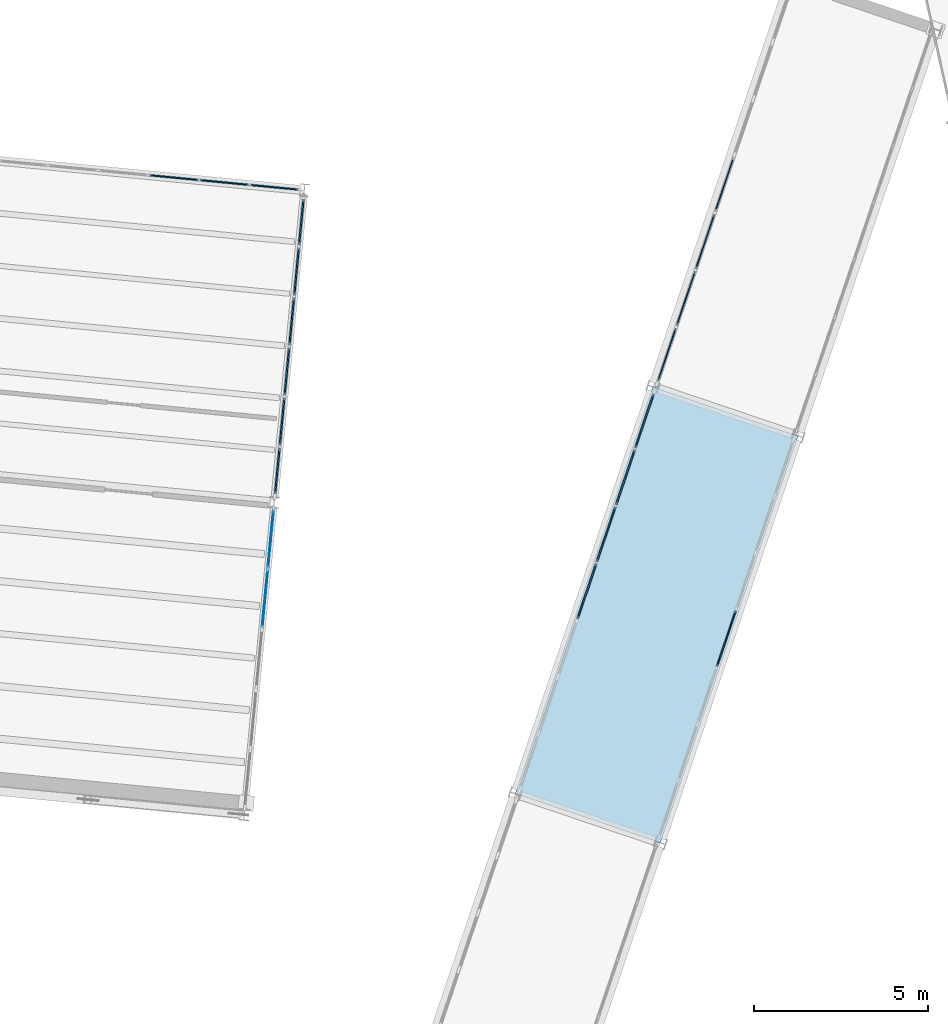
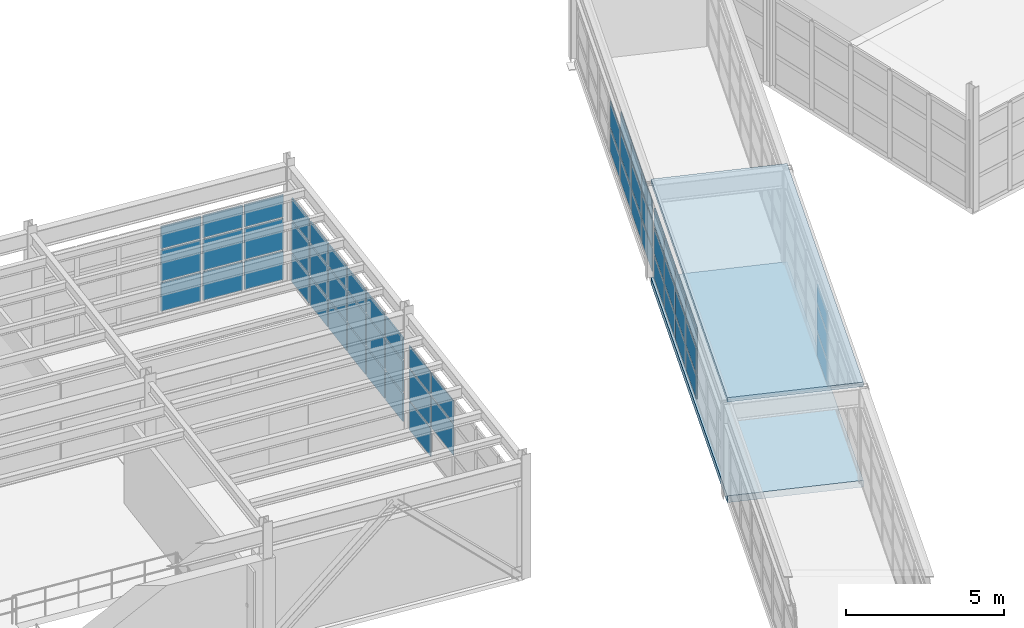
# One storey, part 69 of 102: 58 plates, 2 slabs, 6 elements without a shape of their own.
"""IFC4 building model written with IfcOpenShell, lengths in metres."""

from ifc_helpers import new_model, si_unit, direction, frame, origin, origin_2d, place, context, subcontext, project, spatial, polyline, rectangle, outline, extrude, material, layer, layer_set, type_object, element, aggregate, save


model = new_model("IFC4")

# Units and contexts
model_context = context("Model", 3, precision=1e-05, world=origin(), true_north=direction((0.0, 1.0)))
body_context = subcontext(model_context, "Body", "Model", "MODEL_VIEW")
ifc_project = project(units=[si_unit("LENGTHUNIT", "METRE"), si_unit("AREAUNIT", "SQUARE_METRE"), si_unit("VOLUMEUNIT", "CUBIC_METRE"), si_unit("PLANEANGLEUNIT", "RADIAN"), si_unit("MASSUNIT", "GRAM", prefix="KILO")], contexts=[model_context])

# Site, building, storey
site_placement = place(None, origin())
site = spatial("IfcSite", under=ifc_project, at=site_placement, CompositionType="ELEMENT")
building_placement = place(site_placement, origin())
building = spatial("IfcBuilding", under=site, at=building_placement, Name="Vireo Bluff Cable Station", CompositionType="ELEMENT")
storey_placement = place(building_placement, frame((0.0, 0.0, 9.60009765625)))
storey = spatial("IfcBuildingStorey", under=building, at=storey_placement, Name="L02", CompositionType="ELEMENT", Elevation=9.60009765625)

# Curtain wall, plates
ifc_material_1 = material(Name="Anodized Aluminium 6063-T6", Category="aluminium")
ifc_layer_1 = layer(ifc_material_1, 0.179931640625, Name="Anodized Aluminium 6063-T6")
ifc_layer_set_1 = layer_set([ifc_layer_1], Name="Anodized Aluminium 6063-T6")
curtain_wall_type_1 = type_object("IfcCurtainWallType", Name="CW-UNIT-1650", PredefinedType="USERDEFINED", material=ifc_layer_set_1)
curtain_wall_1_placement = place(storey_placement, origin())
curtain_wall_1 = element("IfcCurtainWall", 1, at=curtain_wall_1_placement, inside=storey, type_object=curtain_wall_type_1, Name="V3 L02 east curtain wall CW-080", ObjectType="UNITISED CURTAIN WALL", PredefinedType="USERDEFINED")
ifc_material_2 = material(Name="Laminated Low-E Insulated Glass", Category="glass")
ifc_layer_2 = layer(ifc_material_2, 0.028076171875, Name="Laminated Low-E Insulated Glass")
ifc_layer_set_2 = layer_set([ifc_layer_2], Name="Laminated Low-E Insulated Glass")
plate_type_1 = type_object("IfcPlateType", Name="CWP-28-1", PredefinedType="CURTAIN_PANEL", material=ifc_layer_set_2)
plate_1_placement = place(storey_placement, frame((104.334228515625, 71.46533203125, 0.06494140625), z_axis=(0.0, 0.0, 1.0), x_axis=(-0.095845757211, -0.995396197916, 0.0)))
plate_1 = element("IfcPlate", 2, at=plate_1_placement, type_object=plate_type_1, Name="CW-080 panel 1.1", PredefinedType="CURTAIN_PANEL", context=body_context, shape_type="SweptSolid", body=[
    extrude(rectangle(XDim=1.635986328125, YDim=0.028076171875, at=origin_2d()), origin(), (0.0, 0.0, 1.0), 1.092529296875),
])
plate_2_placement = place(storey_placement, frame((104.334228515625, 71.46533203125, 1.22216796875), z_axis=(0.0, 0.0, 1.0), x_axis=(-0.095845757211, -0.995396197916, 0.0)))
plate_2 = element("IfcPlate", 3, at=plate_2_placement, type_object=plate_type_1, Name="CW-080 panel 1.2", PredefinedType="CURTAIN_PANEL", context=body_context, shape_type="SweptSolid", body=[
    extrude(rectangle(XDim=1.635986328125, YDim=0.028076171875, at=origin_2d()), origin(), (0.0, 0.0, 1.0), 1.193115234375),
])
plate_3_placement = place(storey_placement, frame((104.334228515625, 71.46533203125, 2.48046875), z_axis=(0.0, 0.0, 1.0), x_axis=(-0.095845757211, -0.995396197916, 0.0)))
plate_3 = element("IfcPlate", 4, at=plate_3_placement, type_object=plate_type_1, Name="CW-080 panel 1.3", PredefinedType="CURTAIN_PANEL", context=body_context, shape_type="SweptSolid", body=[
    extrude(rectangle(XDim=1.635986328125, YDim=0.028076171875, at=origin_2d()), origin(), (0.0, 0.0, 1.0), 0.8544921875),
])
plate_4_placement = place(storey_placement, frame((104.169677734375, 69.755859375, 1.22216796875), z_axis=(0.0, 0.0, 1.0), x_axis=(-0.095845757211, -0.995396197916, 0.0)))
plate_4 = element("IfcPlate", 5, at=plate_4_placement, type_object=plate_type_1, Name="CW-080 panel 2.2", PredefinedType="CURTAIN_PANEL", context=body_context, shape_type="SweptSolid", body=[
    extrude(rectangle(XDim=1.668701171875, YDim=0.028076171875, at=origin_2d()), origin(), (0.0, 0.0, 1.0), 1.193115234375),
])
plate_5_placement = place(storey_placement, frame((104.169677734375, 69.755859375, 2.48046875), z_axis=(0.0, 0.0, 1.0), x_axis=(-0.095845757211, -0.995396197916, 0.0)))
plate_5 = element("IfcPlate", 6, at=plate_5_placement, type_object=plate_type_1, Name="CW-080 panel 2.3", PredefinedType="CURTAIN_PANEL", context=body_context, shape_type="SweptSolid", body=[
    extrude(rectangle(XDim=1.668701171875, YDim=0.028076171875, at=origin_2d()), origin(), (0.0, 0.0, 1.0), 0.8544921875),
])
aggregate(curtain_wall_1, [plate_1, plate_2, plate_3, plate_4, plate_5])

ifc_layer_3 = layer(ifc_material_1, 0.159912109375, Name="Anodized Aluminium 6063-T6")
ifc_layer_set_3 = layer_set([ifc_layer_3], Name="Anodized Aluminium 6063-T6")
curtain_wall_type_2 = type_object("IfcCurtainWallType", Name="CW-STICK-1850", PredefinedType="USERDEFINED", material=ifc_layer_set_3)
curtain_wall_2_placement = place(storey_placement, origin())
curtain_wall_2 = element("IfcCurtainWall", 7, at=curtain_wall_2_placement, inside=storey, type_object=curtain_wall_type_2, Name="SKYBR L02 HAUL-DRIVE-3R curtain wall CW-151", ObjectType="STICK CURTAIN WALL", PredefinedType="USERDEFINED")
ifc_layer_4 = layer(ifc_material_2, 0.031982421875, Name="Laminated Low-E Insulated Glass")
ifc_layer_set_4 = layer_set([ifc_layer_4], Name="Laminated Low-E Insulated Glass")
plate_type_2 = type_object("IfcPlateType", Name="CWP-32-2", PredefinedType="CURTAIN_PANEL", material=ifc_layer_set_4)
plate_6_placement = place(storey_placement, frame((115.69580078125, 76.75, 0.080078125), z_axis=(0.0, 0.0, 1.0), x_axis=(0.320353719222, 0.947297996715, 0.0)))
plate_6 = element("IfcPlate", 8, at=plate_6_placement, type_object=plate_type_2, Name="CW-151 panel 1.1", PredefinedType="CURTAIN_PANEL", context=body_context, shape_type="SweptSolid", body=[
    extrude(rectangle(XDim=1.60498046875, YDim=0.031982421875, at=origin_2d()), origin(), (0.0, 0.0, 1.0), 0.887939453125),
])
plate_7_placement = place(storey_placement, frame((115.69580078125, 76.75, 1.0478515625), z_axis=(0.0, 0.0, 1.0), x_axis=(0.320353719222, 0.947297996715, 0.0)))
plate_7 = element("IfcPlate", 9, at=plate_7_placement, type_object=plate_type_2, Name="CW-151 panel 1.2", PredefinedType="CURTAIN_PANEL", context=body_context, shape_type="SweptSolid", body=[
    extrude(rectangle(XDim=1.60498046875, YDim=0.031982421875, at=origin_2d()), origin(), (0.0, 0.0, 1.0), 0.985595703125),
])
plate_8_placement = place(storey_placement, frame((115.69580078125, 76.75, 2.11376953125), z_axis=(0.0, 0.0, 1.0), x_axis=(0.320353719222, 0.947297996715, 0.0)))
plate_8 = element("IfcPlate", 10, at=plate_8_placement, type_object=plate_type_2, Name="CW-151 panel 1.3", PredefinedType="CURTAIN_PANEL", context=body_context, shape_type="SweptSolid", body=[
    extrude(rectangle(XDim=1.60498046875, YDim=0.031982421875, at=origin_2d()), origin(), (0.0, 0.0, 1.0), 0.686279296875),
])
plate_9_placement = place(storey_placement, frame((116.241943359375, 78.365234375, 0.080078125), z_axis=(0.0, 0.0, 1.0), x_axis=(0.320353719222, 0.947297996715, 0.0)))
plate_9 = element("IfcPlate", 11, at=plate_9_placement, type_object=plate_type_2, Name="CW-151 panel 2.1", PredefinedType="CURTAIN_PANEL", context=body_context, shape_type="SweptSolid", body=[
    extrude(rectangle(XDim=1.64501953125, YDim=0.031982421875, at=origin_2d()), origin(), (0.0, 0.0, 1.0), 0.887939453125),
])
plate_10_placement = place(storey_placement, frame((116.241943359375, 78.365234375, 1.0478515625), z_axis=(0.0, 0.0, 1.0), x_axis=(0.320353719222, 0.947297996715, 0.0)))
plate_10 = element("IfcPlate", 12, at=plate_10_placement, type_object=plate_type_2, Name="CW-151 panel 2.2", PredefinedType="CURTAIN_PANEL", context=body_context, shape_type="SweptSolid", body=[
    extrude(rectangle(XDim=1.64501953125, YDim=0.031982421875, at=origin_2d()), origin(), (0.0, 0.0, 1.0), 0.985595703125),
])
plate_11_placement = place(storey_placement, frame((116.241943359375, 78.365234375, 2.11376953125), z_axis=(0.0, 0.0, 1.0), x_axis=(0.320353719222, 0.947297996715, 0.0)))
plate_11 = element("IfcPlate", 13, at=plate_11_placement, type_object=plate_type_2, Name="CW-151 panel 2.3", PredefinedType="CURTAIN_PANEL", context=body_context, shape_type="SweptSolid", body=[
    extrude(rectangle(XDim=1.64501953125, YDim=0.031982421875, at=origin_2d()), origin(), (0.0, 0.0, 1.0), 0.686279296875),
])
plate_12_placement = place(storey_placement, frame((116.794677734375, 79.99951171875, 0.080078125), z_axis=(0.0, 0.0, 1.0), x_axis=(0.320353719222, 0.947297996715, 0.0)))
plate_12 = element("IfcPlate", 14, at=plate_12_placement, type_object=plate_type_2, Name="CW-151 panel 3.1", PredefinedType="CURTAIN_PANEL", context=body_context, shape_type="SweptSolid", body=[
    extrude(rectangle(XDim=1.64501953125, YDim=0.031982421875, at=origin_2d()), origin(), (0.0, 0.0, 1.0), 0.887939453125),
])
plate_13_placement = place(storey_placement, frame((116.794677734375, 79.99951171875, 1.0478515625), z_axis=(0.0, 0.0, 1.0), x_axis=(0.320353719222, 0.947297996715, 0.0)))
plate_13 = element("IfcPlate", 15, at=plate_13_placement, type_object=plate_type_2, Name="CW-151 panel 3.2", PredefinedType="CURTAIN_PANEL", context=body_context, shape_type="SweptSolid", body=[
    extrude(rectangle(XDim=1.64501953125, YDim=0.031982421875, at=origin_2d()), origin(), (0.0, 0.0, 1.0), 0.985595703125),
])
plate_14_placement = place(storey_placement, frame((116.794677734375, 79.99951171875, 2.11376953125), z_axis=(0.0, 0.0, 1.0), x_axis=(0.320353719222, 0.947297996715, 0.0)))
plate_14 = element("IfcPlate", 16, at=plate_14_placement, type_object=plate_type_2, Name="CW-151 panel 3.3", PredefinedType="CURTAIN_PANEL", context=body_context, shape_type="SweptSolid", body=[
    extrude(rectangle(XDim=1.64501953125, YDim=0.031982421875, at=origin_2d()), origin(), (0.0, 0.0, 1.0), 0.686279296875),
])
plate_15_placement = place(storey_placement, frame((117.347412109375, 81.633544921875, 0.080078125), z_axis=(0.0, 0.0, 1.0), x_axis=(0.320353719222, 0.947297996715, 0.0)))
plate_15 = element("IfcPlate", 17, at=plate_15_placement, type_object=plate_type_2, Name="CW-151 panel 4.1", PredefinedType="CURTAIN_PANEL", context=body_context, shape_type="SweptSolid", body=[
    extrude(rectangle(XDim=1.64501953125, YDim=0.031982421875, at=origin_2d()), origin(), (0.0, 0.0, 1.0), 0.887939453125),
])
plate_16_placement = place(storey_placement, frame((117.347412109375, 81.633544921875, 1.0478515625), z_axis=(0.0, 0.0, 1.0), x_axis=(0.320353719222, 0.947297996715, 0.0)))
plate_16 = element("IfcPlate", 18, at=plate_16_placement, type_object=plate_type_2, Name="CW-151 panel 4.2", PredefinedType="CURTAIN_PANEL", context=body_context, shape_type="SweptSolid", body=[
    extrude(rectangle(XDim=1.64501953125, YDim=0.031982421875, at=origin_2d()), origin(), (0.0, 0.0, 1.0), 0.985595703125),
])
aggregate(curtain_wall_2, [plate_6, plate_7, plate_8, plate_9, plate_10, plate_11, plate_12, plate_13, plate_14, plate_15, plate_16])

ifc_layer_5 = layer(ifc_material_1, 0.179931640625, Name="Anodized Aluminium 6063-T6")
ifc_layer_set_5 = layer_set([ifc_layer_5], Name="Anodized Aluminium 6063-T6")
curtain_wall_type_3 = type_object("IfcCurtainWallType", Name="CW-UNIT-1400", PredefinedType="USERDEFINED", material=ifc_layer_set_5)
curtain_wall_3_placement = place(storey_placement, origin())
curtain_wall_3 = element("IfcCurtainWall", 19, at=curtain_wall_3_placement, inside=storey, type_object=curtain_wall_type_3, Name="V3 L02 north curtain wall CW-078", ObjectType="UNITISED CURTAIN WALL", PredefinedType="USERDEFINED")
ifc_material_3 = material(Name="Insulated Spandrel Glass Panel", Category="glass")
ifc_layer_6 = layer(ifc_material_3, 0.0419921875, Name="Insulated Spandrel Glass Panel")
ifc_layer_set_6 = layer_set([ifc_layer_6], Name="Insulated Spandrel Glass Panel")
plate_type_3 = type_object("IfcPlateType", Name="CWP-42-4", PredefinedType="CURTAIN_PANEL", material=ifc_layer_set_6)
plate_17_placement = place(storey_placement, frame((101.5556640625, 81.830810546875, 0.059814453125), z_axis=(0.0, 0.0, 1.0), x_axis=(0.995396199269, -0.095845743156, 0.0)))
plate_17 = element("IfcPlate", 20, at=plate_17_placement, type_object=plate_type_3, Name="CW-078 panel 4.1", PredefinedType="CURTAIN_PANEL", context=body_context, shape_type="SweptSolid", body=[
    extrude(rectangle(XDim=1.39208984375, YDim=0.0419921875, at=origin_2d()), origin(), (0.0, 0.0, 1.0), 1.10009765625),
])
plate_18_placement = place(storey_placement, frame((101.5556640625, 81.830810546875, 1.2197265625), z_axis=(0.0, 0.0, 1.0), x_axis=(0.995396199269, -0.095845743156, 0.0)))
plate_18 = element("IfcPlate", 21, at=plate_18_placement, type_object=plate_type_3, Name="CW-078 panel 4.2", PredefinedType="CURTAIN_PANEL", context=body_context, shape_type="SweptSolid", body=[
    extrude(rectangle(XDim=1.39208984375, YDim=0.0419921875, at=origin_2d()), origin(), (0.0, 0.0, 1.0), 1.197998046875),
])
plate_19_placement = place(storey_placement, frame((101.5556640625, 81.830810546875, 2.47802734375), z_axis=(0.0, 0.0, 1.0), x_axis=(0.995396199269, -0.095845743156, 0.0)))
plate_19 = element("IfcPlate", 22, at=plate_19_placement, type_object=plate_type_3, Name="CW-078 panel 4.3", PredefinedType="CURTAIN_PANEL", context=body_context, shape_type="SweptSolid", body=[
    extrude(rectangle(XDim=1.39208984375, YDim=0.0419921875, at=origin_2d()), origin(), (0.0, 0.0, 1.0), 0.862060546875),
])
plate_20_placement = place(storey_placement, frame((103.0009765625, 81.691650390625, 0.059814453125), z_axis=(0.0, 0.0, 1.0), x_axis=(0.995396199269, -0.095845743156, 0.0)))
plate_20 = element("IfcPlate", 23, at=plate_20_placement, type_object=plate_type_3, Name="CW-078 panel 5.1", PredefinedType="CURTAIN_PANEL", context=body_context, shape_type="SweptSolid", body=[
    extrude(rectangle(XDim=1.39208984375, YDim=0.0419921875, at=origin_2d()), origin(), (0.0, 0.0, 1.0), 1.10009765625),
])
plate_21_placement = place(storey_placement, frame((103.0009765625, 81.691650390625, 1.2197265625), z_axis=(0.0, 0.0, 1.0), x_axis=(0.995396199269, -0.095845743156, 0.0)))
plate_21 = element("IfcPlate", 24, at=plate_21_placement, type_object=plate_type_3, Name="CW-078 panel 5.2", PredefinedType="CURTAIN_PANEL", context=body_context, shape_type="SweptSolid", body=[
    extrude(rectangle(XDim=1.39208984375, YDim=0.0419921875, at=origin_2d()), origin(), (0.0, 0.0, 1.0), 1.197998046875),
])
plate_22_placement = place(storey_placement, frame((103.0009765625, 81.691650390625, 2.47802734375), z_axis=(0.0, 0.0, 1.0), x_axis=(0.995396199269, -0.095845743156, 0.0)))
plate_22 = element("IfcPlate", 25, at=plate_22_placement, type_object=plate_type_3, Name="CW-078 panel 5.3", PredefinedType="CURTAIN_PANEL", context=body_context, shape_type="SweptSolid", body=[
    extrude(rectangle(XDim=1.39208984375, YDim=0.0419921875, at=origin_2d()), origin(), (0.0, 0.0, 1.0), 0.862060546875),
])
plate_23_placement = place(storey_placement, frame((104.431640625, 81.553955078125, 0.059814453125), z_axis=(0.0, 0.0, 1.0), x_axis=(0.995396199269, -0.095845743156, 0.0)))
plate_23 = element("IfcPlate", 26, at=plate_23_placement, type_object=plate_type_3, Name="CW-078 panel 6.1", PredefinedType="CURTAIN_PANEL", context=body_context, shape_type="SweptSolid", body=[
    extrude(rectangle(XDim=1.362060546875, YDim=0.0419921875, at=origin_2d()), origin(), (0.0, 0.0, 1.0), 1.10009765625),
])
plate_24_placement = place(storey_placement, frame((104.431640625, 81.553955078125, 1.2197265625), z_axis=(0.0, 0.0, 1.0), x_axis=(0.995396199269, -0.095845743156, 0.0)))
plate_24 = element("IfcPlate", 27, at=plate_24_placement, type_object=plate_type_3, Name="CW-078 panel 6.2", PredefinedType="CURTAIN_PANEL", context=body_context, shape_type="SweptSolid", body=[
    extrude(rectangle(XDim=1.362060546875, YDim=0.0419921875, at=origin_2d()), origin(), (0.0, 0.0, 1.0), 1.197998046875),
])
plate_25_placement = place(storey_placement, frame((104.431640625, 81.553955078125, 2.47802734375), z_axis=(0.0, 0.0, 1.0), x_axis=(0.995396199269, -0.095845743156, 0.0)))
plate_25 = element("IfcPlate", 28, at=plate_25_placement, type_object=plate_type_3, Name="CW-078 panel 6.3", PredefinedType="CURTAIN_PANEL", context=body_context, shape_type="SweptSolid", body=[
    extrude(rectangle(XDim=1.362060546875, YDim=0.0419921875, at=origin_2d()), origin(), (0.0, 0.0, 1.0), 0.862060546875),
])
aggregate(curtain_wall_3, [plate_17, plate_18, plate_19, plate_20, plate_21, plate_22, plate_23, plate_24, plate_25])

ifc_layer_7 = layer(ifc_material_1, 0.159912109375, Name="Anodized Aluminium 6063-T6")
ifc_layer_set_7 = layer_set([ifc_layer_7], Name="Anodized Aluminium 6063-T6")
curtain_wall_type_4 = type_object("IfcCurtainWallType", Name="CW-STICK-1750", PredefinedType="USERDEFINED", material=ifc_layer_set_7)
curtain_wall_4_placement = place(storey_placement, origin())
curtain_wall_4 = element("IfcCurtainWall", 29, at=curtain_wall_4_placement, inside=storey, type_object=curtain_wall_type_4, Name="SKYBR L02 HAUL-DRIVE-2L curtain wall CW-148", ObjectType="STICK CURTAIN WALL", PredefinedType="USERDEFINED")
plate_26_placement = place(storey_placement, frame((117.40283203125, 68.612060546875, 0.06494140625), z_axis=(0.0, 0.0, 1.0), x_axis=(0.320362365221, 0.9472950728, 0.0)))
plate_26 = element("IfcPlate", 30, at=plate_26_placement, type_object=plate_type_3, Name="CW-148 panel 4.1", PredefinedType="CURTAIN_PANEL", context=body_context, shape_type="SweptSolid", body=[
    extrude(rectangle(XDim=1.66064453125, YDim=0.0419921875, at=origin_2d()), origin(), (0.0, 0.0, 1.0), 0.910400390625),
])
plate_27_placement = place(storey_placement, frame((117.40283203125, 68.612060546875, 1.04052734375), z_axis=(0.0, 0.0, 1.0), x_axis=(0.320362365221, 0.9472950728, 0.0)))
plate_27 = element("IfcPlate", 31, at=plate_27_placement, type_object=plate_type_3, Name="CW-148 panel 4.2", PredefinedType="CURTAIN_PANEL", context=body_context, shape_type="SweptSolid", body=[
    extrude(rectangle(XDim=1.66064453125, YDim=0.0419921875, at=origin_2d()), origin(), (0.0, 0.0, 1.0), 1.00048828125),
])
plate_28_placement = place(storey_placement, frame((117.40283203125, 68.612060546875, 2.10595703125), z_axis=(0.0, 0.0, 1.0), x_axis=(0.320362365221, 0.9472950728, 0.0)))
plate_28 = element("IfcPlate", 32, at=plate_28_placement, type_object=plate_type_3, Name="CW-148 panel 4.3", PredefinedType="CURTAIN_PANEL", context=body_context, shape_type="SweptSolid", body=[
    extrude(rectangle(XDim=1.66064453125, YDim=0.0419921875, at=origin_2d()), origin(), (0.0, 0.0, 1.0), 0.708984375),
])
aggregate(curtain_wall_4, [plate_26, plate_27, plate_28])

ifc_layer_8 = layer(ifc_material_1, 0.179931640625, Name="Anodized Aluminium 6063-T6")
ifc_layer_set_8 = layer_set([ifc_layer_8], Name="Anodized Aluminium 6063-T6")
curtain_wall_type_5 = type_object("IfcCurtainWallType", Name="CW-UNIT-1500", PredefinedType="USERDEFINED", material=ifc_layer_set_8)
curtain_wall_5_placement = place(storey_placement, origin())
curtain_wall_5 = element("IfcCurtainWall", 33, at=curtain_wall_5_placement, inside=storey, type_object=curtain_wall_type_5, Name="V3 L02 east curtain wall CW-079", ObjectType="UNITISED CURTAIN WALL", PredefinedType="USERDEFINED")
ifc_layer_9 = layer(ifc_material_3, 0.048095703125, Name="Insulated Spandrel Glass Panel")
ifc_layer_set_9 = layer_set([ifc_layer_9], Name="Insulated Spandrel Glass Panel")
plate_type_4 = type_object("IfcPlateType", Name="CWP-48-5", PredefinedType="CURTAIN_PANEL", material=ifc_layer_set_9)
plate_29_placement = place(storey_placement, frame((105.20947265625, 80.55517578125, 0.080078125), z_axis=(0.0, 0.0, 1.0), x_axis=(-0.095845721926, -0.995396201313, 0.0)))
plate_29 = element("IfcPlate", 34, at=plate_29_placement, type_object=plate_type_4, Name="CW-079 panel 1.1", PredefinedType="CURTAIN_PANEL", context=body_context, shape_type="SweptSolid", body=[
    extrude(rectangle(XDim=1.322265625, YDim=0.048095703125, at=origin_2d()), origin(), (0.0, 0.0, 1.0), 1.070068359375),
])
plate_30_placement = place(storey_placement, frame((105.20947265625, 80.55517578125, 1.22998046875), z_axis=(0.0, 0.0, 1.0), x_axis=(-0.095845721926, -0.995396201313, 0.0)))
plate_30 = element("IfcPlate", 35, at=plate_30_placement, type_object=plate_type_4, Name="CW-079 panel 1.2", PredefinedType="CURTAIN_PANEL", context=body_context, shape_type="SweptSolid", body=[
    extrude(rectangle(XDim=1.322265625, YDim=0.048095703125, at=origin_2d()), origin(), (0.0, 0.0, 1.0), 1.177978515625),
])
plate_31_placement = place(storey_placement, frame((105.20947265625, 80.55517578125, 2.48779296875), z_axis=(0.0, 0.0, 1.0), x_axis=(-0.095845721926, -0.995396201313, 0.0)))
plate_31 = element("IfcPlate", 36, at=plate_31_placement, type_object=plate_type_4, Name="CW-079 panel 1.3", PredefinedType="CURTAIN_PANEL", context=body_context, shape_type="SweptSolid", body=[
    extrude(rectangle(XDim=1.322265625, YDim=0.048095703125, at=origin_2d()), origin(), (0.0, 0.0, 1.0), 0.83203125),
])
plate_32_placement = place(storey_placement, frame((105.0732421875, 79.1396484375, 0.080078125), z_axis=(0.0, 0.0, 1.0), x_axis=(-0.095845721926, -0.995396201313, 0.0)))
plate_32 = element("IfcPlate", 37, at=plate_32_placement, type_object=plate_type_4, Name="CW-079 panel 2.1", PredefinedType="CURTAIN_PANEL", context=body_context, shape_type="SweptSolid", body=[
    extrude(rectangle(XDim=1.362060546875, YDim=0.048095703125, at=origin_2d()), origin(), (0.0, 0.0, 1.0), 1.070068359375),
])
plate_33_placement = place(storey_placement, frame((105.0732421875, 79.1396484375, 1.22998046875), z_axis=(0.0, 0.0, 1.0), x_axis=(-0.095845721926, -0.995396201313, 0.0)))
plate_33 = element("IfcPlate", 38, at=plate_33_placement, type_object=plate_type_4, Name="CW-079 panel 2.2", PredefinedType="CURTAIN_PANEL", context=body_context, shape_type="SweptSolid", body=[
    extrude(rectangle(XDim=1.362060546875, YDim=0.048095703125, at=origin_2d()), origin(), (0.0, 0.0, 1.0), 1.177978515625),
])
plate_34_placement = place(storey_placement, frame((105.0732421875, 79.1396484375, 2.48779296875), z_axis=(0.0, 0.0, 1.0), x_axis=(-0.095845721926, -0.995396201313, 0.0)))
plate_34 = element("IfcPlate", 39, at=plate_34_placement, type_object=plate_type_4, Name="CW-079 panel 2.3", PredefinedType="CURTAIN_PANEL", context=body_context, shape_type="SweptSolid", body=[
    extrude(rectangle(XDim=1.362060546875, YDim=0.048095703125, at=origin_2d()), origin(), (0.0, 0.0, 1.0), 0.83203125),
])
plate_35_placement = place(storey_placement, frame((104.934814453125, 77.7041015625, 0.080078125), z_axis=(0.0, 0.0, 1.0), x_axis=(-0.095845721926, -0.995396201313, 0.0)))
plate_35 = element("IfcPlate", 40, at=plate_35_placement, type_object=plate_type_4, Name="CW-079 panel 3.1", PredefinedType="CURTAIN_PANEL", context=body_context, shape_type="SweptSolid", body=[
    extrude(rectangle(XDim=1.362060546875, YDim=0.048095703125, at=origin_2d()), origin(), (0.0, 0.0, 1.0), 1.070068359375),
])
plate_36_placement = place(storey_placement, frame((104.934814453125, 77.7041015625, 1.22998046875), z_axis=(0.0, 0.0, 1.0), x_axis=(-0.095845721926, -0.995396201313, 0.0)))
plate_36 = element("IfcPlate", 41, at=plate_36_placement, type_object=plate_type_4, Name="CW-079 panel 3.2", PredefinedType="CURTAIN_PANEL", context=body_context, shape_type="SweptSolid", body=[
    extrude(rectangle(XDim=1.362060546875, YDim=0.048095703125, at=origin_2d()), origin(), (0.0, 0.0, 1.0), 1.177978515625),
])
plate_37_placement = place(storey_placement, frame((104.934814453125, 77.7041015625, 2.48779296875), z_axis=(0.0, 0.0, 1.0), x_axis=(-0.095845721926, -0.995396201313, 0.0)))
plate_37 = element("IfcPlate", 42, at=plate_37_placement, type_object=plate_type_4, Name="CW-079 panel 3.3", PredefinedType="CURTAIN_PANEL", context=body_context, shape_type="SweptSolid", body=[
    extrude(rectangle(XDim=1.362060546875, YDim=0.048095703125, at=origin_2d()), origin(), (0.0, 0.0, 1.0), 0.83203125),
])
plate_38_placement = place(storey_placement, frame((104.796630859375, 76.2685546875, 0.080078125), z_axis=(0.0, 0.0, 1.0), x_axis=(-0.095845721926, -0.995396201313, 0.0)))
plate_38 = element("IfcPlate", 43, at=plate_38_placement, type_object=plate_type_4, Name="CW-079 panel 4.1", PredefinedType="CURTAIN_PANEL", context=body_context, shape_type="SweptSolid", body=[
    extrude(rectangle(XDim=1.362060546875, YDim=0.048095703125, at=origin_2d()), origin(), (0.0, 0.0, 1.0), 1.070068359375),
])
plate_39_placement = place(storey_placement, frame((104.796630859375, 76.2685546875, 1.22998046875), z_axis=(0.0, 0.0, 1.0), x_axis=(-0.095845721926, -0.995396201313, 0.0)))
plate_39 = element("IfcPlate", 44, at=plate_39_placement, type_object=plate_type_4, Name="CW-079 panel 4.2", PredefinedType="CURTAIN_PANEL", context=body_context, shape_type="SweptSolid", body=[
    extrude(rectangle(XDim=1.362060546875, YDim=0.048095703125, at=origin_2d()), origin(), (0.0, 0.0, 1.0), 1.177978515625),
])
plate_40_placement = place(storey_placement, frame((104.796630859375, 76.2685546875, 2.48779296875), z_axis=(0.0, 0.0, 1.0), x_axis=(-0.095845721926, -0.995396201313, 0.0)))
plate_40 = element("IfcPlate", 45, at=plate_40_placement, type_object=plate_type_4, Name="CW-079 panel 4.3", PredefinedType="CURTAIN_PANEL", context=body_context, shape_type="SweptSolid", body=[
    extrude(rectangle(XDim=1.362060546875, YDim=0.048095703125, at=origin_2d()), origin(), (0.0, 0.0, 1.0), 0.83203125),
])
plate_41_placement = place(storey_placement, frame((104.658447265625, 74.8330078125, 0.080078125), z_axis=(0.0, 0.0, 1.0), x_axis=(-0.095845721926, -0.995396201313, 0.0)))
plate_41 = element("IfcPlate", 46, at=plate_41_placement, type_object=plate_type_4, Name="CW-079 panel 5.1", PredefinedType="CURTAIN_PANEL", context=body_context, shape_type="SweptSolid", body=[
    extrude(rectangle(XDim=1.362060546875, YDim=0.048095703125, at=origin_2d()), origin(), (0.0, 0.0, 1.0), 1.070068359375),
])
plate_42_placement = place(storey_placement, frame((104.658447265625, 74.8330078125, 1.22998046875), z_axis=(0.0, 0.0, 1.0), x_axis=(-0.095845721926, -0.995396201313, 0.0)))
plate_42 = element("IfcPlate", 47, at=plate_42_placement, type_object=plate_type_4, Name="CW-079 panel 5.2", PredefinedType="CURTAIN_PANEL", context=body_context, shape_type="SweptSolid", body=[
    extrude(rectangle(XDim=1.362060546875, YDim=0.048095703125, at=origin_2d()), origin(), (0.0, 0.0, 1.0), 1.177978515625),
])
plate_43_placement = place(storey_placement, frame((104.658447265625, 74.8330078125, 2.48779296875), z_axis=(0.0, 0.0, 1.0), x_axis=(-0.095845721926, -0.995396201313, 0.0)))
plate_43 = element("IfcPlate", 48, at=plate_43_placement, type_object=plate_type_4, Name="CW-079 panel 5.3", PredefinedType="CURTAIN_PANEL", context=body_context, shape_type="SweptSolid", body=[
    extrude(rectangle(XDim=1.362060546875, YDim=0.048095703125, at=origin_2d()), origin(), (0.0, 0.0, 1.0), 0.83203125),
])
plate_44_placement = place(storey_placement, frame((104.522216796875, 73.41748046875, 0.080078125), z_axis=(0.0, 0.0, 1.0), x_axis=(-0.095845721926, -0.995396201313, 0.0)))
plate_44 = element("IfcPlate", 49, at=plate_44_placement, type_object=plate_type_4, Name="CW-079 panel 6.1", PredefinedType="CURTAIN_PANEL", context=body_context, shape_type="SweptSolid", body=[
    extrude(rectangle(XDim=1.322265625, YDim=0.048095703125, at=origin_2d()), origin(), (0.0, 0.0, 1.0), 1.070068359375),
])
plate_45_placement = place(storey_placement, frame((104.522216796875, 73.41748046875, 1.22998046875), z_axis=(0.0, 0.0, 1.0), x_axis=(-0.095845721926, -0.995396201313, 0.0)))
plate_45 = element("IfcPlate", 50, at=plate_45_placement, type_object=plate_type_4, Name="CW-079 panel 6.2", PredefinedType="CURTAIN_PANEL", context=body_context, shape_type="SweptSolid", body=[
    extrude(rectangle(XDim=1.322265625, YDim=0.048095703125, at=origin_2d()), origin(), (0.0, 0.0, 1.0), 1.177978515625),
])
plate_46_placement = place(storey_placement, frame((104.522216796875, 73.41748046875, 2.48779296875), z_axis=(0.0, 0.0, 1.0), x_axis=(-0.095845721926, -0.995396201313, 0.0)))
plate_46 = element("IfcPlate", 51, at=plate_46_placement, type_object=plate_type_4, Name="CW-079 panel 6.3", PredefinedType="CURTAIN_PANEL", context=body_context, shape_type="SweptSolid", body=[
    extrude(rectangle(XDim=1.322265625, YDim=0.048095703125, at=origin_2d()), origin(), (0.0, 0.0, 1.0), 0.83203125),
])
aggregate(curtain_wall_5, [plate_29, plate_30, plate_31, plate_32, plate_33, plate_34, plate_35, plate_36, plate_37, plate_38, plate_39, plate_40, plate_41, plate_42, plate_43, plate_44, plate_45, plate_46])

curtain_wall_6_placement = place(storey_placement, origin())
curtain_wall_6 = element("IfcCurtainWall", 52, at=curtain_wall_6_placement, inside=storey, type_object=curtain_wall_type_2, Name="SKYBR L02 HAUL-DRIVE-2R curtain wall CW-149", ObjectType="STICK CURTAIN WALL", PredefinedType="USERDEFINED")
plate_47_placement = place(storey_placement, frame((113.4013671875, 69.965087890625, 0.074951171875), z_axis=(0.0, 0.0, 1.0), x_axis=(0.320362365221, 0.9472950728, 0.0)))
plate_47 = element("IfcPlate", 53, at=plate_47_placement, type_object=plate_type_4, Name="CW-149 panel 4.1", PredefinedType="CURTAIN_PANEL", context=body_context, shape_type="SweptSolid", body=[
    extrude(rectangle(XDim=1.650634765625, YDim=0.048095703125, at=origin_2d()), origin(), (0.0, 0.0, 1.0), 0.8955078125),
])
plate_48_placement = place(storey_placement, frame((113.4013671875, 69.965087890625, 1.04541015625), z_axis=(0.0, 0.0, 1.0), x_axis=(0.320362365221, 0.9472950728, 0.0)))
plate_48 = element("IfcPlate", 54, at=plate_48_placement, type_object=plate_type_4, Name="CW-149 panel 4.2", PredefinedType="CURTAIN_PANEL", context=body_context, shape_type="SweptSolid", body=[
    extrude(rectangle(XDim=1.650634765625, YDim=0.048095703125, at=origin_2d()), origin(), (0.0, 0.0, 1.0), 0.990478515625),
])
plate_49_placement = place(storey_placement, frame((113.4013671875, 69.965087890625, 2.111083984375), z_axis=(0.0, 0.0, 1.0), x_axis=(0.320362365221, 0.9472950728, 0.0)))
plate_49 = element("IfcPlate", 55, at=plate_49_placement, type_object=plate_type_4, Name="CW-149 panel 4.3", PredefinedType="CURTAIN_PANEL", context=body_context, shape_type="SweptSolid", body=[
    extrude(rectangle(XDim=1.650634765625, YDim=0.048095703125, at=origin_2d()), origin(), (0.0, 0.0, 1.0), 0.69384765625),
])
plate_50_placement = place(storey_placement, frame((113.954345703125, 71.599853515625, 0.074951171875), z_axis=(0.0, 0.0, 1.0), x_axis=(0.320362365221, 0.9472950728, 0.0)))
plate_50 = element("IfcPlate", 56, at=plate_50_placement, type_object=plate_type_4, Name="CW-149 panel 5.1", PredefinedType="CURTAIN_PANEL", context=body_context, shape_type="SweptSolid", body=[
    extrude(rectangle(XDim=1.650634765625, YDim=0.048095703125, at=origin_2d()), origin(), (0.0, 0.0, 1.0), 0.8955078125),
])
plate_51_placement = place(storey_placement, frame((113.954345703125, 71.599853515625, 1.04541015625), z_axis=(0.0, 0.0, 1.0), x_axis=(0.320362365221, 0.9472950728, 0.0)))
plate_51 = element("IfcPlate", 57, at=plate_51_placement, type_object=plate_type_4, Name="CW-149 panel 5.2", PredefinedType="CURTAIN_PANEL", context=body_context, shape_type="SweptSolid", body=[
    extrude(rectangle(XDim=1.650634765625, YDim=0.048095703125, at=origin_2d()), origin(), (0.0, 0.0, 1.0), 0.990478515625),
])
plate_52_placement = place(storey_placement, frame((113.954345703125, 71.599853515625, 2.111083984375), z_axis=(0.0, 0.0, 1.0), x_axis=(0.320362365221, 0.9472950728, 0.0)))
plate_52 = element("IfcPlate", 58, at=plate_52_placement, type_object=plate_type_4, Name="CW-149 panel 5.3", PredefinedType="CURTAIN_PANEL", context=body_context, shape_type="SweptSolid", body=[
    extrude(rectangle(XDim=1.650634765625, YDim=0.048095703125, at=origin_2d()), origin(), (0.0, 0.0, 1.0), 0.69384765625),
])
plate_53_placement = place(storey_placement, frame((114.507080078125, 73.234619140625, 0.074951171875), z_axis=(0.0, 0.0, 1.0), x_axis=(0.320362365221, 0.9472950728, 0.0)))
plate_53 = element("IfcPlate", 59, at=plate_53_placement, type_object=plate_type_4, Name="CW-149 panel 6.1", PredefinedType="CURTAIN_PANEL", context=body_context, shape_type="SweptSolid", body=[
    extrude(rectangle(XDim=1.650634765625, YDim=0.048095703125, at=origin_2d()), origin(), (0.0, 0.0, 1.0), 0.8955078125),
])
plate_54_placement = place(storey_placement, frame((114.507080078125, 73.234619140625, 1.04541015625), z_axis=(0.0, 0.0, 1.0), x_axis=(0.320362365221, 0.9472950728, 0.0)))
plate_54 = element("IfcPlate", 60, at=plate_54_placement, type_object=plate_type_4, Name="CW-149 panel 6.2", PredefinedType="CURTAIN_PANEL", context=body_context, shape_type="SweptSolid", body=[
    extrude(rectangle(XDim=1.650634765625, YDim=0.048095703125, at=origin_2d()), origin(), (0.0, 0.0, 1.0), 0.990478515625),
])
plate_55_placement = place(storey_placement, frame((114.507080078125, 73.234619140625, 2.111083984375), z_axis=(0.0, 0.0, 1.0), x_axis=(0.320362365221, 0.9472950728, 0.0)))
plate_55 = element("IfcPlate", 61, at=plate_55_placement, type_object=plate_type_4, Name="CW-149 panel 6.3", PredefinedType="CURTAIN_PANEL", context=body_context, shape_type="SweptSolid", body=[
    extrude(rectangle(XDim=1.650634765625, YDim=0.048095703125, at=origin_2d()), origin(), (0.0, 0.0, 1.0), 0.69384765625),
])
plate_56_placement = place(storey_placement, frame((115.053955078125, 74.8515625, 0.074951171875), z_axis=(0.0, 0.0, 1.0), x_axis=(0.320362365221, 0.9472950728, 0.0)))
plate_56 = element("IfcPlate", 62, at=plate_56_placement, type_object=plate_type_4, Name="CW-149 panel 7.1", PredefinedType="CURTAIN_PANEL", context=body_context, shape_type="SweptSolid", body=[
    extrude(rectangle(XDim=1.613037109375, YDim=0.048095703125, at=origin_2d()), origin(), (0.0, 0.0, 1.0), 0.8955078125),
])
plate_57_placement = place(storey_placement, frame((115.053955078125, 74.8515625, 1.04541015625), z_axis=(0.0, 0.0, 1.0), x_axis=(0.320362365221, 0.9472950728, 0.0)))
plate_57 = element("IfcPlate", 63, at=plate_57_placement, type_object=plate_type_4, Name="CW-149 panel 7.2", PredefinedType="CURTAIN_PANEL", context=body_context, shape_type="SweptSolid", body=[
    extrude(rectangle(XDim=1.613037109375, YDim=0.048095703125, at=origin_2d()), origin(), (0.0, 0.0, 1.0), 0.990478515625),
])
plate_58_placement = place(storey_placement, frame((115.053955078125, 74.8515625, 2.111083984375), z_axis=(0.0, 0.0, 1.0), x_axis=(0.320362365221, 0.9472950728, 0.0)))
plate_58 = element("IfcPlate", 64, at=plate_58_placement, type_object=plate_type_4, Name="CW-149 panel 7.3", PredefinedType="CURTAIN_PANEL", context=body_context, shape_type="SweptSolid", body=[
    extrude(rectangle(XDim=1.613037109375, YDim=0.048095703125, at=origin_2d()), origin(), (0.0, 0.0, 1.0), 0.69384765625),
])
aggregate(curtain_wall_6, [plate_47, plate_48, plate_49, plate_50, plate_51, plate_52, plate_53, plate_54, plate_55, plate_56, plate_57, plate_58])

# Slabs
ifc_material_4 = material(Name="Concrete f'c 40 MPa", Category="concrete")
ifc_layer_10 = layer(ifc_material_4, 0.260009765625, Name="Concrete f'c 40 MPa")
ifc_layer_set_10 = layer_set([ifc_layer_10], Name="Concrete f'c 40 MPa")
slab_type_1 = type_object("IfcSlabType", Name="FLOORSLAB-260", PredefinedType="FLOOR", material=ifc_layer_set_10)
slab_1_placement = place(storey_placement, frame((0.0, 0.0, -0.260009765625)))
element("IfcSlab", 65, at=slab_1_placement, inside=storey, type_object=slab_type_1, Name="HAUL-DRIVE enclosed skybridge floor slab 2", PredefinedType="FLOOR", context=body_context, shape_type="SweptSolid", body=[
    extrude(outline(polyline([(115.512939453125, 62.748779296875), (119.45947265625, 74.4189453125), (115.291259765625, 75.828369140625), (111.3447265625, 64.158203125), (115.512939453125, 62.748779296875)])), origin(), (0.0, 0.0, 1.0), 0.260009765625),
])
ifc_layer_11 = layer(ifc_material_4, 0.169921875, Name="Concrete f'c 40 MPa")
ifc_layer_set_11 = layer_set([ifc_layer_11], Name="Concrete f'c 40 MPa")
slab_type_2 = type_object("IfcSlabType", Name="ROOFSLAB-170-3", PredefinedType="ROOF", material=ifc_layer_set_11)
slab_2_placement = place(storey_placement, frame((0.0, 0.0, 3.6298828125)))
element("IfcSlab", 66, at=slab_2_placement, inside=storey, type_object=slab_type_2, Name="HAUL-DRIVE enclosed skybridge roof slab 2", PredefinedType="ROOF", context=body_context, shape_type="SweptSolid", body=[
    extrude(outline(polyline([(115.512939453125, 62.748779296875), (119.45947265625, 74.4189453125), (115.291259765625, 75.828369140625), (111.3447265625, 64.158203125), (115.512939453125, 62.748779296875)])), origin(), (0.0, 0.0, 1.0), 0.169921875),
])

save(model, "model.ifc")
